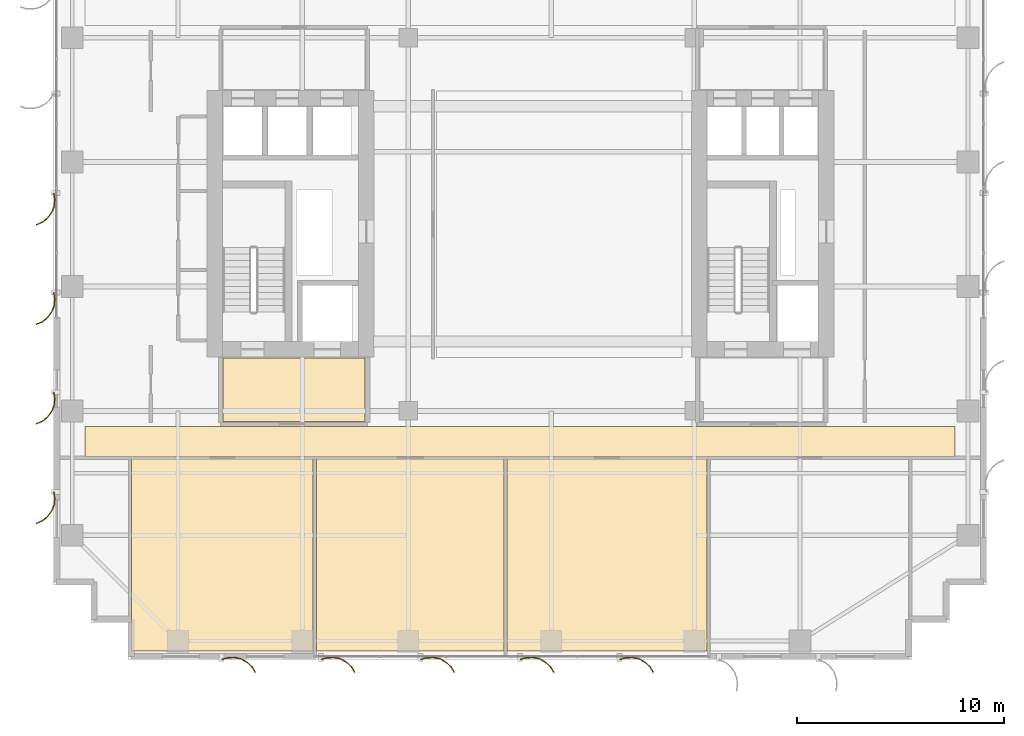
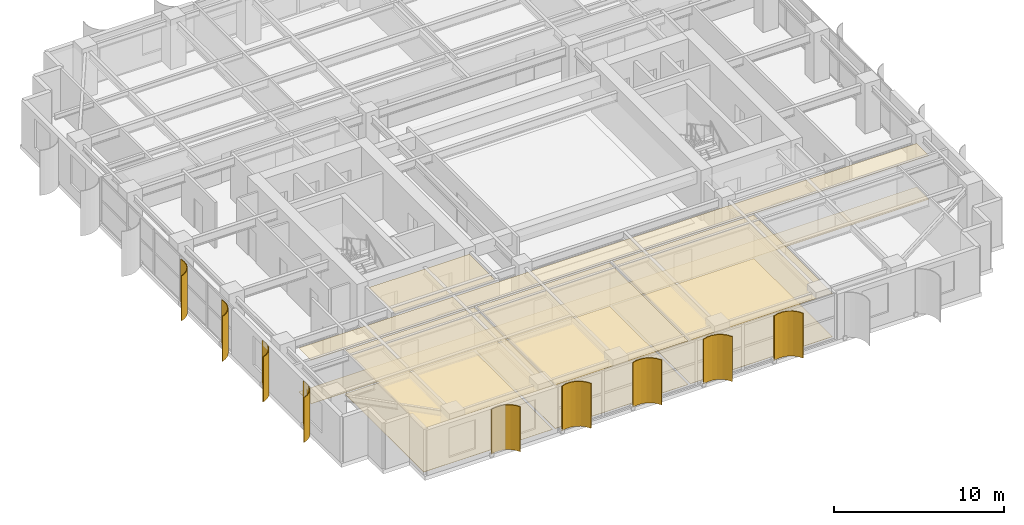
# One storey, part 25 of 28: 9 coverings, 9 shading devices.
"""IFC4 building model written with IfcOpenShell, lengths in metres."""

from ifc_helpers import new_model, si_unit, direction, frame, origin, place, context, subcontext, project, spatial, polyline, outline, extrude, source, transform, mapped, material, layer, layer_set, type_object, element, save


model = new_model("IFC4")

# Units and contexts
model_context = context("Model", 3, precision=1e-05, world=origin(), true_north=direction((0.0, 1.0)))
body_context = subcontext(model_context, "Body", "Model", "MODEL_VIEW")
ifc_project = project(units=[si_unit("LENGTHUNIT", "METRE"), si_unit("AREAUNIT", "SQUARE_METRE"), si_unit("VOLUMEUNIT", "CUBIC_METRE"), si_unit("PLANEANGLEUNIT", "RADIAN"), si_unit("MASSUNIT", "GRAM", prefix="KILO")], contexts=[model_context])

# Site, building, storey
site_placement = place(None, origin())
site = spatial("IfcSite", under=ifc_project, at=site_placement, CompositionType="ELEMENT")
building_placement = place(site_placement, origin())
building = spatial("IfcBuilding", under=site, at=building_placement, Name="Khoralis Quay Care Tower", CompositionType="ELEMENT")
storey_placement = place(building_placement, frame((0.0, 0.0, 144.89990234375)))
storey = spatial("IfcBuildingStorey", under=building, at=storey_placement, Name="L38", CompositionType="ELEMENT", Elevation=144.89990234375)

# Coverings
ifc_material_1 = material(Name="Mineral-fibre acoustic ceiling tile")
ifc_layer_1 = layer(ifc_material_1, 0.01806640625)
ifc_layer_set_1 = layer_set([ifc_layer_1], Name="Mineral-fibre acoustic ceiling tile")
covering_type_1 = type_object("IfcCoveringType", Name="COV-CEIL-AC18", PredefinedType="CEILING", material=ifc_layer_set_1)
covering_1_placement = place(storey_placement, frame((0.0, 0.0, 3.132080078125)))
element("IfcCovering", 1, at=covering_1_placement, inside=storey, type_object=covering_type_1, Name="Suspended Acoustic Ceiling SP-L38-FFLOB-W", PredefinedType="CEILING", context=body_context, shape_type="SweptSolid", body=[
    extrude(outline(polyline([(8.179931640625, 11.47998046875), (15.02001953125, 11.47998046875), (15.02001953125, 14.550048828125), (8.179931640625, 14.550048828125), (8.179931640625, 11.47998046875)])), origin(), (0.0, 0.0, 1.0), 0.01806640625),
])
covering_2_placement = place(storey_placement, frame((0.0, 0.0, 3.132080078125)))
element("IfcCovering", 2, at=covering_2_placement, inside=storey, type_object=covering_type_1, Name="Suspended Acoustic Ceiling SP-L38-CORR-MAIN", PredefinedType="CEILING", context=body_context, shape_type="SweptSolid", body=[
    extrude(outline(polyline([(1.52001953125, 9.7900390625), (43.47998046875, 9.7900390625), (43.47998046875, 11.239990234375), (1.52001953125, 11.239990234375), (1.52001953125, 9.7900390625)])), origin(), (0.0, 0.0, 1.0), 0.01806640625),
])
covering_3_placement = place(storey_placement, frame((0.0, 0.0, 3.132080078125)))
element("IfcCovering", 3, at=covering_3_placement, inside=storey, type_object=covering_type_1, Name="Suspended Acoustic Ceiling SP-L38-SB-COM0", PredefinedType="CEILING", context=body_context, shape_type="SweptSolid", body=[
    extrude(outline(polyline([(3.760009765625, 0.419921875), (12.52001953125, 0.419921875), (12.52001953125, 9.669921875), (3.760009765625, 9.669921875), (3.760009765625, 0.419921875)])), origin(), (0.0, 0.0, 1.0), 0.01806640625),
])
covering_4_placement = place(storey_placement, frame((0.0, 0.0, 3.132080078125)))
element("IfcCovering", 4, at=covering_4_placement, inside=storey, type_object=covering_type_1, Name="Suspended Acoustic Ceiling SP-L38-SB-COM1", PredefinedType="CEILING", context=body_context, shape_type="SweptSolid", body=[
    extrude(outline(polyline([(12.679931640625, 0.419921875), (21.719970703125, 0.419921875), (21.719970703125, 9.669921875), (12.679931640625, 9.669921875), (12.679931640625, 0.419921875)])), origin(), (0.0, 0.0, 1.0), 0.01806640625),
])
covering_5_placement = place(storey_placement, frame((0.0, 0.0, 3.132080078125)))
element("IfcCovering", 5, at=covering_5_placement, inside=storey, type_object=covering_type_1, Name="Suspended Acoustic Ceiling SP-L38-SB-COM2", PredefinedType="CEILING", context=body_context, shape_type="SweptSolid", body=[
    extrude(outline(polyline([(21.8798828125, 0.419921875), (31.52001953125, 0.419921875), (31.52001953125, 9.669921875), (21.8798828125, 9.669921875), (21.8798828125, 0.419921875)])), origin(), (0.0, 0.0, 1.0), 0.01806640625),
])
ifc_material_2 = material(Name="Porcelain and non-slip vinyl flooring")
ifc_layer_2 = layer(ifc_material_2, 0.02001953125)
ifc_layer_set_2 = layer_set([ifc_layer_2], Name="Porcelain and non-slip vinyl flooring")
covering_type_2 = type_object("IfcCoveringType", Name="COV-FLOOR-20", PredefinedType="FLOORING", material=ifc_layer_set_2)
covering_6_placement = place(storey_placement, origin())
element("IfcCovering", 6, at=covering_6_placement, inside=storey, type_object=covering_type_2, Name="Resilient Healthcare Flooring SP-L38-CORR-MAIN", PredefinedType="FLOORING", context=body_context, shape_type="SweptSolid", body=[
    extrude(outline(polyline([(1.52001953125, 9.7900390625), (43.47998046875, 9.7900390625), (43.47998046875, 11.239990234375), (1.52001953125, 11.239990234375), (1.52001953125, 9.7900390625)])), origin(), (0.0, 0.0, 1.0), 0.02001953125),
])
covering_7_placement = place(storey_placement, origin())
element("IfcCovering", 7, at=covering_7_placement, inside=storey, type_object=covering_type_2, Name="Resilient Healthcare Flooring SP-L38-SB-COM0", PredefinedType="FLOORING", context=body_context, shape_type="SweptSolid", body=[
    extrude(outline(polyline([(3.760009765625, 0.419921875), (12.52001953125, 0.419921875), (12.52001953125, 9.669921875), (3.760009765625, 9.669921875), (3.760009765625, 0.419921875)])), origin(), (0.0, 0.0, 1.0), 0.02001953125),
])
covering_8_placement = place(storey_placement, origin())
element("IfcCovering", 8, at=covering_8_placement, inside=storey, type_object=covering_type_2, Name="Resilient Healthcare Flooring SP-L38-SB-COM1", PredefinedType="FLOORING", context=body_context, shape_type="SweptSolid", body=[
    extrude(outline(polyline([(12.679931640625, 0.419921875), (21.719970703125, 0.419921875), (21.719970703125, 9.669921875), (12.679931640625, 9.669921875), (12.679931640625, 0.419921875)])), origin(), (0.0, 0.0, 1.0), 0.02001953125),
])
covering_9_placement = place(storey_placement, origin())
element("IfcCovering", 9, at=covering_9_placement, inside=storey, type_object=covering_type_2, Name="Resilient Healthcare Flooring SP-L38-SB-COM2", PredefinedType="FLOORING", context=body_context, shape_type="SweptSolid", body=[
    extrude(outline(polyline([(21.8798828125, 0.419921875), (31.52001953125, 0.419921875), (31.52001953125, 9.669921875), (21.8798828125, 9.669921875), (21.8798828125, 0.419921875)])), origin(), (0.0, 0.0, 1.0), 0.02001953125),
])

# Shading devices
ifc_material_3 = material(Name="Brushed pale anodised aluminium", Category="aluminium")
ifc_layer_3 = layer(ifc_material_3, 0.044921875)
ifc_layer_set_3 = layer_set([ifc_layer_3], Name="Brushed pale anodised aluminium")
shading_device_type = type_object("IfcShadingDeviceType", Name="SHD-FIN-1250", PredefinedType="USERDEFINED", material=ifc_layer_set_3)
shared_shape_1 = source(origin(), body_context, "Body", "SweptSolid", [
    extrude(outline(polyline([(0.0, 0.0), (-0.04833984375, 0.32275390625), (-0.01123046875, 0.64697265625), (0.1083984375, 0.950439453125), (0.302490234375, 1.212890625), (0.557861328125, 1.416015625), (0.85693359375, 1.546142578125), (0.869384765625, 1.5029296875), (0.5810546875, 1.37744140625), (0.334716796875, 1.181640625), (0.147705078125, 0.9287109375), (0.032470703125, 0.635986328125), (-0.003173828125, 0.323486328125), (0.043212890625, 0.012451171875), (0.0, 0.0)])), origin(), (0.0, 0.0, 1.0), 3.219970703125),
])
for number, where, z_axis, x_axis, name in (
    (10, (0.030029296875, 22.5, 0.02001953125), (0.0, 0.0, 1.0), (-1.0, 0.0, 0.0), "L38 Curved Solar Fin P1E15-04"),
    (11, (0.030029296875, 17.699951171875, 0.02001953125), (0.0, 0.0, 1.0), (-1.0, 0.0, 0.0), "L38 Curved Solar Fin P1E15-05"),
    (12, (0.030029296875, 12.89990234375, 0.02001953125), (0.0, 0.0, 1.0), (-1.0, 0.0, 0.0), "L38 Curved Solar Fin P1E15-06"),
    (13, (0.030029296875, 8.10009765625, 0.02001953125), (0.0, 0.0, 1.0), (-1.0, 0.0, 0.0), "L38 Curved Solar Fin P1E15-07"),
):
    element("IfcShadingDevice", number, at=place(storey_placement, frame(where, z_axis=z_axis, x_axis=x_axis)), inside=storey, type_object=shading_device_type, Name=name, ObjectType="FIN", PredefinedType="USERDEFINED", context=body_context, shape_type="MappedRepresentation", body=[
        mapped(shared_shape_1, transform((0.0, 0.0, 0.0), scale=1.0)),
    ])
shared_shape_2 = source(origin(), body_context, "Body", "SweptSolid", [
    extrude(outline(polyline([(0.0, 0.0), (-0.0927734375, 0.31298828125), (-0.101318359375, 0.63916015625), (-0.025146484375, 0.956298828125), (0.130615234375, 1.2431640625), (0.355224609375, 1.479736328125), (0.633544921875, 1.650390625), (0.65185546875, 1.609130859375), (0.383544921875, 1.44482421875), (0.1669921875, 1.216796875), (0.01708984375, 0.940185546875), (-0.056396484375, 0.63427734375), (-0.04833984375, 0.31982421875), (0.041015625, 0.018310546875), (0.0, 0.0)])), origin(), (0.0, 0.0, 1.0), 3.219970703125),
])
for number, where, z_axis, x_axis, name in (
    (14, (8.10009765625, 0.030029296875, 0.02001953125), (0.0, 0.0, 1.0), (0.0, -1.0, 0.0), "L38 Curved Solar Fin P1E0-01"),
    (15, (12.89990234375, 0.030029296875, 0.02001953125), (0.0, 0.0, 1.0), (0.0, -1.0, 0.0), "L38 Curved Solar Fin P1E0-02"),
    (16, (17.699951171875, 0.030029296875, 0.02001953125), (0.0, 0.0, 1.0), (0.0, -1.0, 0.0), "L38 Curved Solar Fin P1E0-03"),
    (17, (22.5, 0.030029296875, 0.02001953125), (0.0, 0.0, 1.0), (0.0, -1.0, 0.0), "L38 Curved Solar Fin P1E0-04"),
    (18, (27.300048828125, 0.030029296875, 0.02001953125), (0.0, 0.0, 1.0), (0.0, -1.0, 0.0), "L38 Curved Solar Fin P1E0-05"),
):
    element("IfcShadingDevice", number, at=place(storey_placement, frame(where, z_axis=z_axis, x_axis=x_axis)), inside=storey, type_object=shading_device_type, Name=name, ObjectType="FIN", PredefinedType="USERDEFINED", context=body_context, shape_type="MappedRepresentation", body=[
        mapped(shared_shape_2, transform((0.0, 0.0, 0.0), scale=1.0)),
    ])

save(model, "model.ifc")
